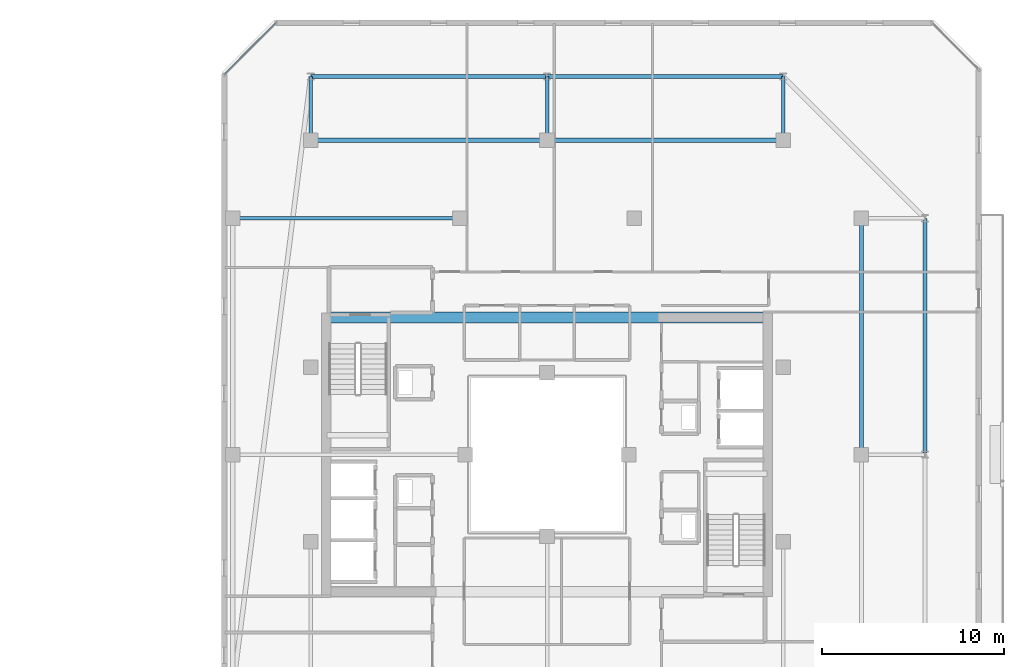
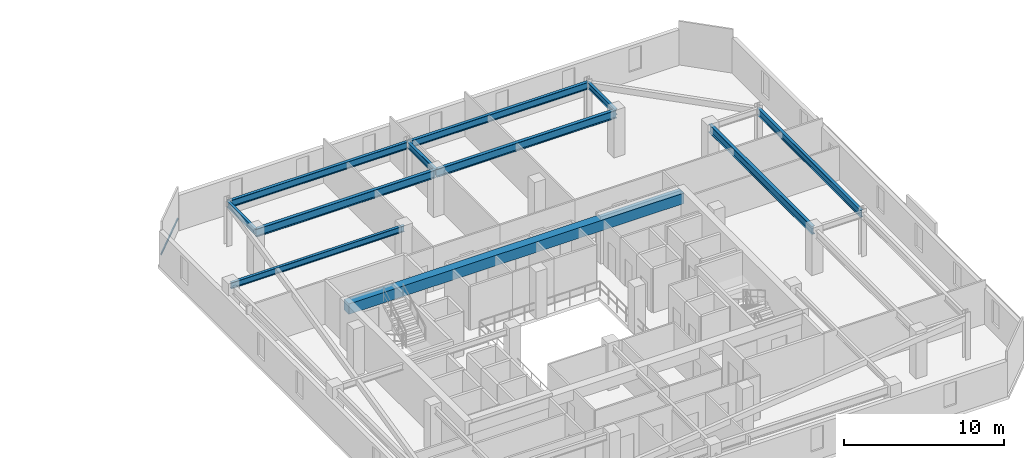
# One storey, part 17 of 35: 11 beams, 1 member, 1 element without a shape of its own.
"""IFC4 building model written with IfcOpenShell, lengths in metres."""

from ifc_helpers import new_model, si_unit, direction, frame, origin, origin_2d, place, context, subcontext, project, spatial, rectangle, hollow_rectangle, i_section, extrude, material, material_profile, profile_set, type_object, element, aggregate, save


model = new_model("IFC4")

# Units and contexts
model_context = context("Model", 3, precision=1e-05, world=origin(), true_north=direction((0.0, 1.0)))
body_context = subcontext(model_context, "Body", "Model", "MODEL_VIEW")
ifc_project = project(units=[si_unit("LENGTHUNIT", "METRE"), si_unit("AREAUNIT", "SQUARE_METRE"), si_unit("VOLUMEUNIT", "CUBIC_METRE"), si_unit("PLANEANGLEUNIT", "RADIAN"), si_unit("MASSUNIT", "GRAM", prefix="KILO")], contexts=[model_context])

# Site, building, storey
site_placement = place(None, origin())
site = spatial("IfcSite", under=ifc_project, at=site_placement, CompositionType="ELEMENT")
building_placement = place(site_placement, origin())
building = spatial("IfcBuilding", under=site, at=building_placement, Name="Thornwick Lancets Civic Towers", CompositionType="ELEMENT")
storey_placement = place(building_placement, frame((0.0, 0.0, 272.699951171875)))
storey = spatial("IfcBuildingStorey", under=building, at=storey_placement, Name="L73", CompositionType="ELEMENT", Elevation=272.699951171875)

# Beams
ifc_material_1 = material(Name="Concrete C60/75", Category="concrete")
ifc_material_profile_1 = material_profile(ifc_material_1, rectangle(XDim=0.60009765625, YDim=0.800048828125, at=origin_2d()), Name="RC 600x800")
ifc_profile_set_1 = profile_set([ifc_material_profile_1], Name="Concrete C60/75")
beam_type_1 = type_object("IfcBeamType", Name="BM_COUP_RC800", PredefinedType="BEAM", material=ifc_profile_set_1)
beam_1_placement = place(storey_placement, frame((76.39990234375, 34.550048828125, 2.9599609375), z_axis=(1.0, 0.0, 0.0), x_axis=(0.0, 1.0, 0.0)))
element("IfcBeam", 1, at=beam_1_placement, inside=storey, type_object=beam_type_1, Name="CB-L73-B1", PredefinedType="BEAM", context=body_context, shape_type="SweptSolid", body=[
    extrude(rectangle(XDim=0.60009765625, YDim=0.800048828125, at=origin_2d()), origin(), (0.0, 0.0, 1.0), 24.2001953125),
])
ifc_material_2 = material(Name="Steel S355JR", Category="steel")
ifc_material_profile_2 = material_profile(ifc_material_2, i_section(OverallWidth=0.210693359375, OverallDepth=0.53955078125, WebThickness=0.01171875, FlangeThickness=0.018798828125, FilletRadius=0.0126953125, at=origin_2d()), Name="UKB 533x210x109")
ifc_profile_set_2 = profile_set([ifc_material_profile_2], Name="Steel S355JR")
beam_type_2 = type_object("IfcBeamType", Name="BM_EDGE_533_109", PredefinedType="SPANDREL", material=ifc_profile_set_2)
beam_2_placement = place(storey_placement, frame((109.300048828125, 27.080078125, 3.09033203125), z_axis=(0.0, 1.0, 0.0), x_axis=(-1.0, 0.0, 0.0)))
element("IfcBeam", 2, at=beam_2_placement, inside=storey, type_object=beam_type_2, Name="BM-EDGE-L73-B-S0-2", PredefinedType="SPANDREL", context=body_context, shape_type="SweptSolid", body=[
    extrude(i_section(OverallWidth=0.210693359375, OverallDepth=0.53955078125, WebThickness=0.01171875, FlangeThickness=0.018798828125, FilletRadius=0.0126953125, at=origin_2d()), origin(), (0.0, 0.0, 1.0), 12.919921875),
])
beam_3_placement = place(storey_placement, frame((101.5, 47.800048828125, 3.09033203125), z_axis=(-1.0, 0.0, 0.0), x_axis=(0.0, -1.0, 0.0)))
element("IfcBeam", 3, at=beam_3_placement, inside=storey, type_object=beam_type_2, Name="BM-EDGE-L73-B-S1-1", PredefinedType="SPANDREL", context=body_context, shape_type="SweptSolid", body=[
    extrude(i_section(OverallWidth=0.210693359375, OverallDepth=0.53955078125, WebThickness=0.01171875, FlangeThickness=0.018798828125, FilletRadius=0.0126953125, at=origin_2d()), origin(), (0.0, 0.0, 1.0), 13.0),
])
beam_4_placement = place(storey_placement, frame((88.419921875, 47.800048828125, 3.09033203125), z_axis=(-1.0, 0.0, 0.0), x_axis=(0.0, -1.0, 0.0)))
element("IfcBeam", 4, at=beam_4_placement, inside=storey, type_object=beam_type_2, Name="BM-EDGE-L73-B-S1-2", PredefinedType="SPANDREL", context=body_context, shape_type="SweptSolid", body=[
    extrude(i_section(OverallWidth=0.210693359375, OverallDepth=0.53955078125, WebThickness=0.01171875, FlangeThickness=0.018798828125, FilletRadius=0.0126953125, at=origin_2d()), origin(), (0.0, 0.0, 1.0), 12.919921875),
])
ifc_material_profile_3 = material_profile(ifc_material_2, i_section(OverallWidth=0.230224609375, OverallDepth=0.6171875, WebThickness=0.01318359375, FlangeThickness=0.022216796875, FilletRadius=0.0126953125, at=origin_2d()), Name="UKB 610x229x140")
ifc_profile_set_3 = profile_set([ifc_material_profile_3], Name="Steel S355JR")
beam_type_3 = type_object("IfcBeamType", Name="BM_GIRD_610_140", PredefinedType="BEAM", material=ifc_profile_set_3)
beam_5_placement = place(storey_placement, frame((105.800048828125, 27.080078125, 3.051513671875), z_axis=(0.0, 1.0, 0.0), x_axis=(-1.0, 0.0, 0.0)))
element("IfcBeam", 5, at=beam_5_placement, inside=storey, type_object=beam_type_3, Name="BM-SPINE-L73-B-1-2", PredefinedType="BEAM", context=body_context, shape_type="SweptSolid", body=[
    extrude(i_section(OverallWidth=0.230224609375, OverallDepth=0.6171875, WebThickness=0.01318359375, FlangeThickness=0.022216796875, FilletRadius=0.0126953125, at=origin_2d()), origin(), (0.0, 0.0, 1.0), 12.919921875),
])
beam_6_placement = place(storey_placement, frame((101.5, 44.300048828125, 3.051513671875), z_axis=(-1.0, 0.0, 0.0), x_axis=(0.0, -1.0, 0.0)))
element("IfcBeam", 6, at=beam_6_placement, inside=storey, type_object=beam_type_3, Name="BM-SPINE-L73-B-3-4", PredefinedType="BEAM", context=body_context, shape_type="SweptSolid", body=[
    extrude(i_section(OverallWidth=0.230224609375, OverallDepth=0.6171875, WebThickness=0.01318359375, FlangeThickness=0.022216796875, FilletRadius=0.0126953125, at=origin_2d()), origin(), (0.0, 0.0, 1.0), 13.0),
])
beam_7_placement = place(storey_placement, frame((88.419921875, 44.300048828125, 3.051513671875), z_axis=(-1.0, 0.0, 0.0), x_axis=(0.0, -1.0, 0.0)))
element("IfcBeam", 7, at=beam_7_placement, inside=storey, type_object=beam_type_3, Name="BM-SPINE-L73-B-4-5", PredefinedType="BEAM", context=body_context, shape_type="SweptSolid", body=[
    extrude(i_section(OverallWidth=0.230224609375, OverallDepth=0.6171875, WebThickness=0.01318359375, FlangeThickness=0.022216796875, FilletRadius=0.0126953125, at=origin_2d()), origin(), (0.0, 0.0, 1.0), 12.919921875),
])
ifc_material_profile_4 = material_profile(ifc_material_2, i_section(OverallWidth=0.19189453125, OverallDepth=0.46337890625, WebThickness=0.010498046875, FlangeThickness=0.017578125, FilletRadius=0.01025390625, at=origin_2d()), Name="UKB 457x191x89")
ifc_profile_set_4 = profile_set([ifc_material_profile_4], Name="Steel S355JR")
beam_type_4 = type_object("IfcBeamType", Name="BM_JOIST_457_89", PredefinedType="JOIST", material=ifc_profile_set_4)
for number, where, z_axis, x_axis, name in (
    (8, (101.5, 44.300048828125, 3.12841796875), (0.0, 1.0, 0.0), (-1.0, 0.0, 0.0), "BM-RAD-L73-B04"),
    (9, (88.5, 44.300048828125, 3.12841796875), (0.0, 1.0, 0.0), (-1.0, 0.0, 0.0), "BM-RAD-L73-B05"),
    (10, (75.5, 44.300048828125, 3.12841796875), (0.0, 1.0, 0.0), (-1.0, 0.0, 0.0), "BM-RAD-L73-B06"),
):
    element("IfcBeam", number, at=place(storey_placement, frame(where, z_axis=z_axis, x_axis=x_axis)), inside=storey, type_object=beam_type_4, Name=name, PredefinedType="JOIST", context=body_context, shape_type="SweptSolid", body=[
        extrude(i_section(OverallWidth=0.19189453125, OverallDepth=0.46337890625, WebThickness=0.010498046875, FlangeThickness=0.017578125, FilletRadius=0.01025390625, at=origin_2d()), origin(), (0.0, 0.0, 1.0), 3.5),
    ])
beam_8_placement = place(storey_placement, frame((83.699951171875, 40.0, 3.12841796875), z_axis=(-1.0, 0.0, 0.0), x_axis=(0.0, -1.0, 0.0)))
element("IfcBeam", 11, at=beam_8_placement, inside=storey, type_object=beam_type_4, Name="BM-RADIN-L73-B09", PredefinedType="JOIST", context=body_context, shape_type="SweptSolid", body=[
    extrude(i_section(OverallWidth=0.19189453125, OverallDepth=0.46337890625, WebThickness=0.010498046875, FlangeThickness=0.017578125, FilletRadius=0.01025390625, at=origin_2d()), origin(), (0.0, 0.0, 1.0), 12.5),
])

# Curtain wall, member
ifc_material_3 = material(Name="High-zone chamfered-corner unitised glass curtain wall", Category="glass")
curtain_wall_type = type_object("IfcCurtainWallType", Name="CW_SYS_05", PredefinedType="NOTDEFINED", material=ifc_material_3)
curtain_wall_placement = place(storey_placement, origin())
curtain_wall = element("IfcCurtainWall", 12, at=curtain_wall_placement, inside=storey, type_object=curtain_wall_type, Name="L73 Curtain Wall CW-L73-B-E5", PredefinedType="NOTDEFINED")
ifc_material_4 = material(Name="Thermally broken bronze aluminium S355", Category="steel")
ifc_material_profile_5 = material_profile(ifc_material_4, hollow_rectangle(XDim=0.074951171875, YDim=0.14990234375, WallThickness=0.0048828125, at=origin_2d()), Name="RHS 150x75x5")
ifc_profile_set_5 = profile_set([ifc_material_profile_5], Name="Thermally broken bronze aluminium S355")
member_type = type_object("IfcMemberType", Name="CW_TRN_150", PredefinedType="USERDEFINED", material=ifc_profile_set_5)
member_placement = place(storey_placement, frame((73.58056640625, 50.74951171875, 0.85009765625), z_axis=(-0.707106781187, -0.707106781187, 0.0), x_axis=(0.707106781187, -0.707106781187, 0.0)))
member = element("IfcMember", 13, at=member_placement, type_object=member_type, Name="CW-L73-B-E5 Transom 0", ObjectType="TRANSOM", PredefinedType="USERDEFINED", context=body_context, shape_type="SweptSolid", body=[
    extrude(hollow_rectangle(XDim=0.074951171875, YDim=0.14990234375, WallThickness=0.0048828125, at=origin_2d()), origin(), (0.0, 0.0, 1.0), 4.00244140625),
])
aggregate(curtain_wall, [member])

save(model, "model.ifc")
